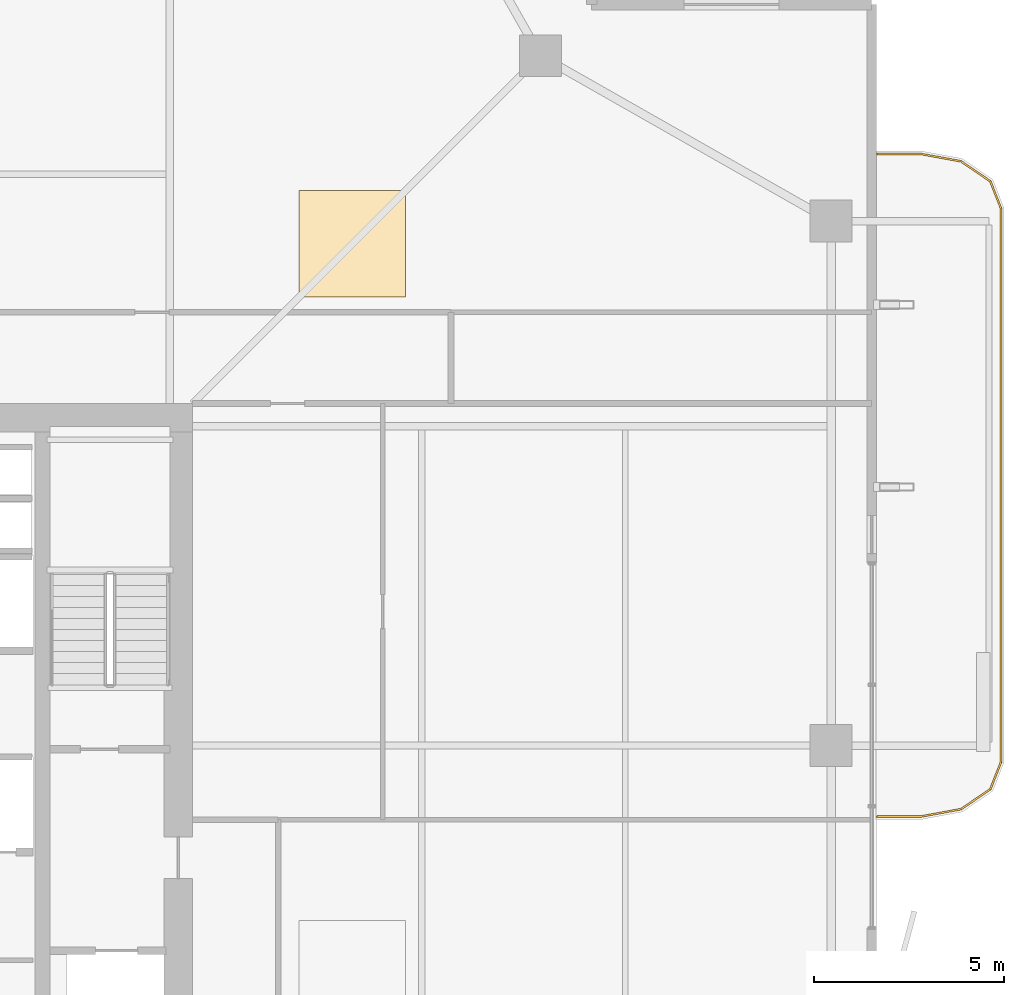
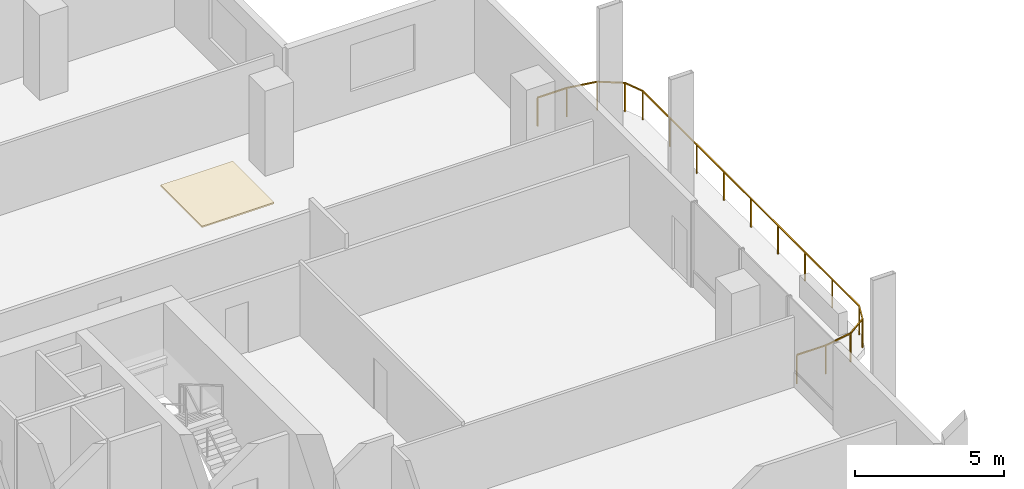
# One storey, part 24 of 24: 1 covering, 1 railing.
"""IFC4 building model written with IfcOpenShell, lengths in metres."""

import ifcopenshell
import ifcopenshell.guid

model = None  # the IFC model being written
_history = None  # IfcOwnerHistory: only IFC2X3 demands one
_inside = {}  # id of a spatial element -> (the spatial element, [elements in it])
_under = {}  # id of a project, library or spatial element -> (it, [spatial elements below it])
_declared = {}  # id of a project -> (the project, [libraries it declares])
_typed = {}  # id of a type object -> (the type object, [elements of that type])
_made_of = {}  # id of a material, layer set ... -> (it, [elements and type objects made of it])


def new_model(schema):
    """Start an empty IFC model of exactly this schema.

    Asked for "IFC4X3", IfcOpenShell would pick the latest addendum, in which some entities
    have other attributes; the version numbers below select the first issue.
    IFC2X3 requires an IfcOwnerHistory on every rooted entity: one is made here for all.
    """
    global model, _history
    if schema == "IFC4X3":
        model = ifcopenshell.file(schema_version=(4, 3, 0, 0))
    else:
        model = ifcopenshell.file(schema=schema)
    _inside.clear()
    _under.clear()
    _declared.clear()
    _typed.clear()
    _made_of.clear()
    _history = None
    if model.schema == "IFC2X3":
        org = make("IfcOrganization", Name="unknown")
        user = make(
            "IfcPersonAndOrganization",
            ThePerson=make("IfcPerson", FamilyName="unknown"),
            TheOrganization=org,
        )
        app = make(
            "IfcApplication",
            ApplicationDeveloper=org,
            Version="unknown",
            ApplicationFullName="unknown",
            ApplicationIdentifier="unknown",
        )
        _history = make(
            "IfcOwnerHistory",
            OwningUser=user,
            OwningApplication=app,
            ChangeAction="ADDED",
            CreationDate=0,
        )
    return model


def make(cls, **values):
    """One entity of the class cls with the attributes given. An attribute that is None is left unset."""
    return model.create_entity(
        cls, **{name: value for name, value in values.items() if value is not None}
    )


def rooted(cls, **values):
    """An entity with a GlobalId (a new one), such as an element, a storey or a relation."""
    return make(cls, GlobalId=ifcopenshell.guid.new(), OwnerHistory=_history, **values)


def si_unit(unit_type, name, prefix=None):
    """IfcSIUnit, for example si_unit("LENGTHUNIT", "METRE", prefix="MILLI")."""
    return make("IfcSIUnit", UnitType=unit_type, Prefix=prefix, Name=name)


def assignment(units):
    """IfcUnitAssignment: the units of a project."""
    return None if units is None else make("IfcUnitAssignment", Units=units)


def point(xyz):
    """IfcCartesianPoint."""
    return None if xyz is None else make("IfcCartesianPoint", Coordinates=xyz)


def direction(xyz):
    """IfcDirection."""
    return None if xyz is None else make("IfcDirection", DirectionRatios=xyz)


def frame(location, z_axis=None, x_axis=None):
    """IfcAxis2Placement3D, a coordinate frame: its origin and axes. An axis left out is left unset."""
    return make(
        "IfcAxis2Placement3D",
        Location=point(location),
        Axis=direction(z_axis),
        RefDirection=direction(x_axis),
    )


def frame_2d(location, x_axis=None):
    """IfcAxis2Placement2D, a coordinate frame in the plane: its origin and x axis."""
    return make(
        "IfcAxis2Placement2D", Location=point(location), RefDirection=direction(x_axis)
    )


def origin():
    """The frame at (0, 0, 0) with its axes left unset."""
    return frame((0.0, 0.0, 0.0))


def origin_2d():
    """The frame at (0, 0) in the plane with its x axis left unset."""
    return frame_2d((0.0, 0.0))


def place(relative_to, where):
    """IfcLocalPlacement: puts the frame where relative to a parent placement (None: the world)."""
    return make(
        "IfcLocalPlacement", PlacementRelTo=relative_to, RelativePlacement=where
    )


def context(
    kind, dimensions, precision=None, world=None, true_north=None, identifier=None
):
    """IfcGeometricRepresentationContext, for example the 3D "Model" context."""
    return make(
        "IfcGeometricRepresentationContext",
        ContextIdentifier=identifier,
        ContextType=kind,
        CoordinateSpaceDimension=dimensions,
        Precision=precision,
        WorldCoordinateSystem=world,
        TrueNorth=true_north,
    )


def subcontext(parent, identifier, kind, view, scale=None):
    """IfcGeometricRepresentationSubContext, for example "Body" below "Model"."""
    return make(
        "IfcGeometricRepresentationSubContext",
        ContextIdentifier=identifier,
        ContextType=kind,
        ParentContext=parent,
        TargetScale=scale,
        TargetView=view,
    )


def project(units=None, contexts=None):
    """IfcProject with its units and contexts."""
    return rooted(
        "IfcProject",
        Name="project",
        RepresentationContexts=contexts,
        UnitsInContext=assignment(units),
    )


def spatial(cls, under=None, at=None, **own):
    """A site, building, storey or space (cls), placed at a placement, below another one or the project."""
    s = rooted(cls, ObjectPlacement=at, **own)
    if under is not None:
        _under.setdefault(under.id(), (under, []))[1].append(s)
    return s


def polyline(points):
    """IfcPolyline through the points."""
    return make("IfcPolyline", Points=[point(p) for p in points])


def profile(cls, at=None, kind="AREA", **sizes):
    """A parametric profile (cls). Its sizes go by their IFC names, for example OverallWidth=200.0."""
    return make(cls, ProfileType=kind, Position=at, **sizes)


def rectangle(**sizes):
    """IfcRectangleProfileDef."""
    return profile("IfcRectangleProfileDef", **sizes)


def outline(outer, holes=None, kind="AREA"):
    """IfcArbitraryClosedProfileDef: a profile drawn as a closed curve; with holes, ...WithVoids."""
    if holes is None:
        return make("IfcArbitraryClosedProfileDef", ProfileType=kind, OuterCurve=outer)
    return make(
        "IfcArbitraryProfileDefWithVoids",
        ProfileType=kind,
        OuterCurve=outer,
        InnerCurves=holes,
    )


def extrude(swept, where, along, depth):
    """IfcExtrudedAreaSolid: the profile swept, set in the frame where, extruded along a direction by depth."""
    return make(
        "IfcExtrudedAreaSolid",
        SweptArea=swept,
        Position=where,
        ExtrudedDirection=direction(along),
        Depth=depth,
    )


def shape(context_of_items, identifier, shape_type, items):
    """IfcShapeRepresentation: the items that make up one representation, for example the "Body"."""
    return make(
        "IfcShapeRepresentation",
        ContextOfItems=context_of_items,
        RepresentationIdentifier=identifier,
        RepresentationType=shape_type,
        Items=items,
    )


def material(Name=None, Category=None):
    """IfcMaterial."""
    return make("IfcMaterial", Name=Name, Category=Category)


def layer(
    of_material, thickness, ventilated=None, Name=None, Category=None, Priority=None
):
    """IfcMaterialLayer: one layer of a wall or slab, of a material (None: an air gap)."""
    return make(
        "IfcMaterialLayer",
        Material=of_material,
        LayerThickness=thickness,
        IsVentilated=ventilated,
        Name=Name,
        Category=Category,
        Priority=Priority,
    )


def layer_set(layers, Name=None):
    """IfcMaterialLayerSet."""
    return make("IfcMaterialLayerSet", MaterialLayers=layers, LayerSetName=Name)


def made_of(thing, what):
    """Note that an element or type object is made of a material, layer set ...; save() writes the relation."""
    if what is not None:
        _made_of.setdefault(what.id(), (what, []))[1].append(thing)
    return thing


def type_object(cls, material=None, **own):
    """A type object (cls), such as IfcWallType, which elements share."""
    return made_of(rooted(cls, **own), material)


def element(
    cls,
    number,
    at=None,
    inside=None,
    cuts=None,
    type_object=None,
    material=None,
    context=None,
    identifier="Body",
    shape_type=None,
    held_by="IfcProductDefinitionShape",
    body=None,
    shapes=None,
    **own,
):
    """One element of the class cls, such as IfcWall. Its Tag is "e" and its number.

    at: its placement. inside: the storey or other place that contains it. cuts: it is an
    opening in that element (IfcRelVoidsElement). A single representation is given by context,
    identifier, shape_type and body (its items); several are given by shapes. held_by: the class
    of the entity that holds the representations. save() writes the other relations.
    """
    e = rooted(cls, Tag="e%d" % number, ObjectPlacement=at, **own)
    if body is not None:
        shapes = [shape(context, identifier, shape_type, body)]
    if shapes is not None:
        e.Representation = make(held_by, Representations=shapes)
    if inside is not None:
        _inside.setdefault(inside.id(), (inside, []))[1].append(e)
    if cuts is not None:
        rooted(
            "IfcRelVoidsElement", RelatingBuildingElement=cuts, RelatedOpeningElement=e
        )
    if type_object is not None:
        _typed.setdefault(type_object.id(), (type_object, []))[1].append(e)
    return made_of(e, material)


def aggregate(whole, parts):
    """IfcRelAggregates: a whole, such as a stair, and the parts it consists of."""
    return rooted("IfcRelAggregates", RelatingObject=whole, RelatedObjects=parts)


def save(model, path):
    """Write the relations noted so far, then the file.

    IfcRelAggregates (storeys below a building ...), IfcRelContainedInSpatialStructure (elements
    in a storey), IfcRelDefinesByType, IfcRelAssociatesMaterial and IfcRelDeclares: one each for
    every whole, place, type object, material and project.
    """
    for whole, parts in _under.values():
        aggregate(whole, parts)
    for where, things in _inside.values():
        rooted(
            "IfcRelContainedInSpatialStructure",
            RelatedElements=things,
            RelatingStructure=where,
        )
    for kind, things in _typed.values():
        rooted("IfcRelDefinesByType", RelatedObjects=things, RelatingType=kind)
    for what, things in _made_of.values():
        rooted("IfcRelAssociatesMaterial", RelatedObjects=things, RelatingMaterial=what)
    for by, libraries in _declared.values():
        rooted("IfcRelDeclares", RelatingContext=by, RelatedDefinitions=libraries)
    model.write(path)


model = new_model("IFC4")

# Units and contexts
model_context = context("Model", 3, precision=1e-05, world=origin(), true_north=direction((0.0, 1.0)))
body_context = subcontext(model_context, "Body", "Model", "MODEL_VIEW")
ifc_project = project(units=[si_unit("LENGTHUNIT", "METRE"), si_unit("AREAUNIT", "SQUARE_METRE"), si_unit("VOLUMEUNIT", "CUBIC_METRE"), si_unit("PLANEANGLEUNIT", "RADIAN"), si_unit("MASSUNIT", "GRAM", prefix="KILO")], contexts=[model_context])

# Site, building, storey
site_placement = place(None, origin())
site = spatial("IfcSite", under=ifc_project, at=site_placement, CompositionType="ELEMENT")
building_placement = place(site_placement, origin())
building = spatial("IfcBuilding", under=site, at=building_placement, Name="Belovzor Exchange Tower", CompositionType="ELEMENT")
storey_placement = place(building_placement, frame((0.0, 0.0, 226.199951171875)))
storey = spatial("IfcBuildingStorey", under=building, at=storey_placement, Name="L56", CompositionType="ELEMENT", Elevation=226.199951171875)

# Railing
ifc_material_1 = material(Name="Stainless Steel and Laminated Safety Glass", Category="steel")
railing_type = type_object("IfcRailingType", Name="Laminated Glass & Stainless Steel Balcony Balustrade 1200", PredefinedType="BALUSTRADE", material=ifc_material_1)
railing_placement = place(storey_placement, frame((55.81005859375, 26.929931640625, 0.0)))
element("IfcRailing", 1, at=railing_placement, inside=storey, type_object=railing_type, Name="GR-1 Balcony Balustrade L56 East", PredefinedType="BALUSTRADE", context=body_context, shape_type="SweptSolid", body=[
    extrude(rectangle(XDim=0.048095703125, YDim=0.048095703125, at=origin_2d()), frame((0.0, 0.0, 1.17578125), z_axis=(1.0, 0.0, 0.0), x_axis=(0.0, 1.0, 0.0)), (0.0, 0.0, 1.0), 1.133056640625),
    extrude(rectangle(XDim=0.048095703125, YDim=0.048095703125, at=origin_2d()), frame((1.133056640625, 0.0, 1.17578125), z_axis=(0.983644145941, 0.180122719713, 0.0), x_axis=(-0.180122719713, 0.983644145941, 0.0)), (0.0, 0.0, 1.0), 1.09375),
    extrude(rectangle(XDim=0.048095703125, YDim=0.048095703125, at=origin_2d()), frame((2.208984375, 0.197021484375, 1.17578125), z_axis=(0.826493025367, 0.56294695933, 0.0), x_axis=(-0.56294695933, 0.826493025367, 0.0)), (0.0, 0.0, 1.0), 0.932861328125),
    extrude(rectangle(XDim=0.048095703125, YDim=0.048095703125, at=origin_2d()), frame((2.97998046875, 0.72216796875, 1.17578125), z_axis=(0.365612923861, 0.930766990125, 0.0), x_axis=(-0.930766990125, 0.365612923861, 0.0)), (0.0, 0.0, 1.0), 0.765869140625),
    extrude(rectangle(XDim=0.048095703125, YDim=0.048095703125, at=origin_2d()), frame((3.260009765625, 1.43505859375, 1.17578125), z_axis=(0.0, 1.0, 0.0), x_axis=(-1.0, 0.0, 0.0)), (0.0, 0.0, 1.0), 14.570068359375),
    extrude(rectangle(XDim=0.048095703125, YDim=0.048095703125, at=origin_2d()), frame((3.260009765625, 16.005126953125, 1.17578125), z_axis=(-0.365612923861, 0.930766990125, 0.0), x_axis=(-0.930766990125, -0.365612923861, 0.0)), (0.0, 0.0, 1.0), 0.765869140625),
    extrude(rectangle(XDim=0.048095703125, YDim=0.048095703125, at=origin_2d()), frame((2.97998046875, 16.718017578125, 1.17578125), z_axis=(-0.826493025367, 0.56294695933, 0.0), x_axis=(-0.56294695933, -0.826493025367, 0.0)), (0.0, 0.0, 1.0), 0.932861328125),
    extrude(rectangle(XDim=0.048095703125, YDim=0.048095703125, at=origin_2d()), frame((2.208984375, 17.2431640625, 1.17578125), z_axis=(-0.983644145941, 0.180122719713, 0.0), x_axis=(-0.180122719713, -0.983644145941, 0.0)), (0.0, 0.0, 1.0), 1.09375),
    extrude(rectangle(XDim=0.048095703125, YDim=0.048095703125, at=origin_2d()), frame((1.133056640625, 17.440185546875, 1.17578125), z_axis=(-1.0, 0.0, 0.0), x_axis=(0.0, -1.0, 0.0)), (0.0, 0.0, 1.0), 1.133056640625),
    extrude(rectangle(XDim=0.0419921875, YDim=0.0419921875, at=origin_2d()), origin(), (0.0, 0.0, 1.0), 1.15185546875),
    extrude(rectangle(XDim=0.0419921875, YDim=0.0419921875, at=origin_2d()), frame((1.133056640625, 0.0, 0.0)), (0.0, 0.0, 1.0), 1.15185546875),
    extrude(rectangle(XDim=0.0419921875, YDim=0.0419921875, at=origin_2d()), frame((2.208984375, 0.197021484375, 0.0)), (0.0, 0.0, 1.0), 1.15185546875),
    extrude(rectangle(XDim=0.0419921875, YDim=0.0419921875, at=origin_2d()), frame((2.97998046875, 0.72216796875, 0.0)), (0.0, 0.0, 1.0), 1.15185546875),
    extrude(rectangle(XDim=0.0419921875, YDim=0.0419921875, at=origin_2d()), frame((3.260009765625, 1.43505859375, 0.0)), (0.0, 0.0, 1.0), 1.15185546875),
    extrude(rectangle(XDim=0.0419921875, YDim=0.0419921875, at=origin_2d()), frame((3.260009765625, 3.25634765625, 0.0)), (0.0, 0.0, 1.0), 1.15185546875),
    extrude(rectangle(XDim=0.0419921875, YDim=0.0419921875, at=origin_2d()), frame((3.260009765625, 5.07763671875, 0.0)), (0.0, 0.0, 1.0), 1.15185546875),
    extrude(rectangle(XDim=0.0419921875, YDim=0.0419921875, at=origin_2d()), frame((3.260009765625, 6.89892578125, 0.0)), (0.0, 0.0, 1.0), 1.15185546875),
    extrude(rectangle(XDim=0.0419921875, YDim=0.0419921875, at=origin_2d()), frame((3.260009765625, 8.72021484375, 0.0)), (0.0, 0.0, 1.0), 1.15185546875),
    extrude(rectangle(XDim=0.0419921875, YDim=0.0419921875, at=origin_2d()), frame((3.260009765625, 10.541259765625, 0.0)), (0.0, 0.0, 1.0), 1.15185546875),
    extrude(rectangle(XDim=0.0419921875, YDim=0.0419921875, at=origin_2d()), frame((3.260009765625, 12.362548828125, 0.0)), (0.0, 0.0, 1.0), 1.15185546875),
    extrude(rectangle(XDim=0.0419921875, YDim=0.0419921875, at=origin_2d()), frame((3.260009765625, 14.183837890625, 0.0)), (0.0, 0.0, 1.0), 1.15185546875),
    extrude(rectangle(XDim=0.0419921875, YDim=0.0419921875, at=origin_2d()), frame((3.260009765625, 16.005126953125, 0.0)), (0.0, 0.0, 1.0), 1.15185546875),
    extrude(rectangle(XDim=0.0419921875, YDim=0.0419921875, at=origin_2d()), frame((2.97998046875, 16.718017578125, 0.0)), (0.0, 0.0, 1.0), 1.15185546875),
    extrude(rectangle(XDim=0.0419921875, YDim=0.0419921875, at=origin_2d()), frame((2.208984375, 17.2431640625, 0.0)), (0.0, 0.0, 1.0), 1.15185546875),
    extrude(rectangle(XDim=0.0419921875, YDim=0.0419921875, at=origin_2d()), frame((1.133056640625, 17.440185546875, 0.0)), (0.0, 0.0, 1.0), 1.15185546875),
    extrude(rectangle(XDim=0.0419921875, YDim=0.0419921875, at=origin_2d()), frame((0.0, 17.440185546875, 0.0)), (0.0, 0.0, 1.0), 1.15185546875),
])

# Covering
ifc_material_2 = material(Name="Perforated Powder-Coated Aluminium", Category="aluminium")
ifc_layer = layer(ifc_material_2, 0.06005859375)
ifc_layer_set = layer_set([ifc_layer], Name="Perforated Powder-Coated Aluminium")
covering_type = type_object("IfcCoveringType", Name="Perforated Acoustic Metal Tile Suspended Ceiling 60", PredefinedType="CEILING", material=ifc_layer_set)
covering_placement = place(storey_placement, frame((0.0, 0.0, 3.43994140625)))
element("IfcCovering", 2, at=covering_placement, inside=storey, type_object=covering_type, Name="CLG-AC60 Suspended Ceiling CLG-L56-Z1", PredefinedType="CEILING", context=body_context, shape_type="SweptSolid", body=[
    extrude(outline(polyline([(40.60009765625, 40.60009765625), (43.39990234375, 40.60009765625), (43.39990234375, 43.39990234375), (40.60009765625, 43.39990234375), (40.60009765625, 40.60009765625)])), origin(), (0.0, 0.0, 1.0), 0.06005859375),
])

save(model, "model.ifc")
